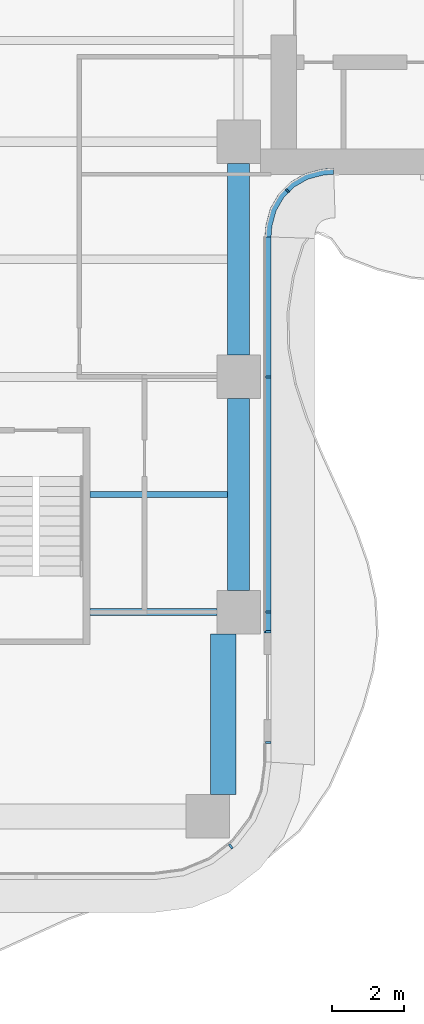
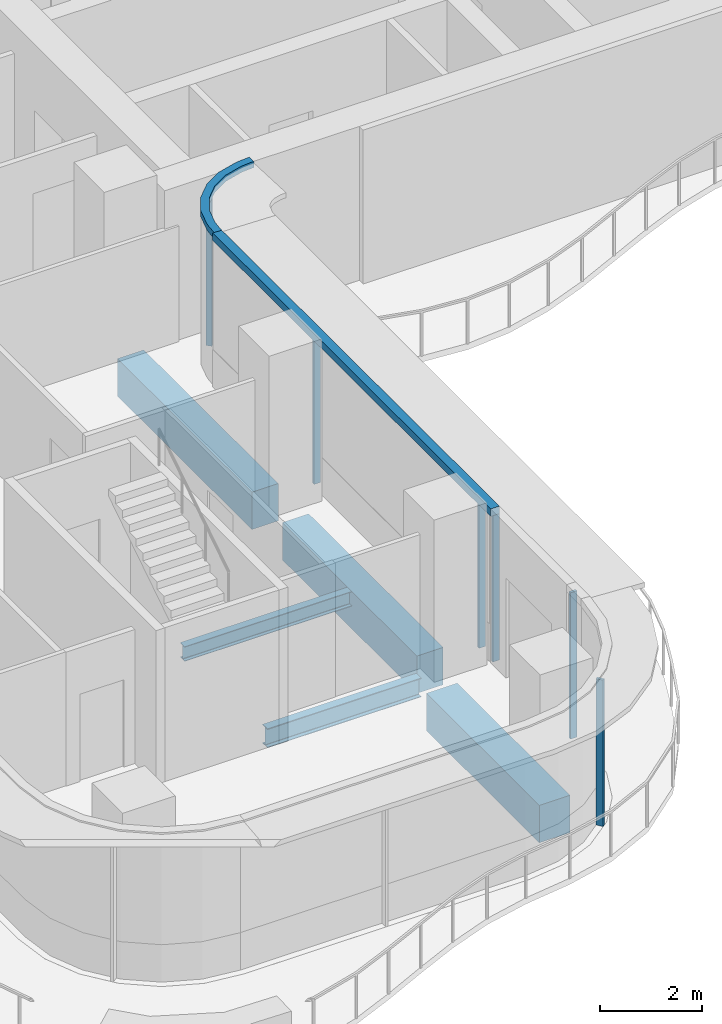
# One storey, part 5 of 19: 8 members, 5 beams, 4 elements without a shape of their own.
"""IFC4 building model written with IfcOpenShell, lengths in metres."""

from ifc_helpers import new_model, si_unit, direction, frame, origin, origin_2d, place, context, subcontext, project, spatial, polyline, rectangle, i_section, outline, extrude, source, transform, mapped, material, layer, layer_set, material_profile, profile_set, type_object, element, aggregate, save


model = new_model("IFC4")

# Units and contexts
model_context = context("Model", 3, precision=1e-05, world=origin(), true_north=direction((0.0, 1.0)))
body_context = subcontext(model_context, "Body", "Model", "MODEL_VIEW")
ifc_project = project(units=[si_unit("LENGTHUNIT", "METRE"), si_unit("AREAUNIT", "SQUARE_METRE"), si_unit("VOLUMEUNIT", "CUBIC_METRE"), si_unit("PLANEANGLEUNIT", "RADIAN"), si_unit("MASSUNIT", "GRAM", prefix="KILO")], contexts=[model_context])

# Site, building, storey
site_placement = place(None, origin())
site = spatial("IfcSite", under=ifc_project, at=site_placement, CompositionType="ELEMENT")
building_placement = place(site_placement, origin())
building = spatial("IfcBuilding", under=site, at=building_placement, Name="Trellis Farm Tower", CompositionType="ELEMENT")
storey_placement = place(building_placement, frame((0.0, 0.0, 197.10009765625)))
storey = spatial("IfcBuildingStorey", under=building, at=storey_placement, Name="L43", CompositionType="ELEMENT", Elevation=197.10009765625)

# Beams
ifc_material_1 = material(Name="Steel S355", Category="steel")
ifc_material_profile_1 = material_profile(ifc_material_1, i_section(OverallWidth=0.1904296875, OverallDepth=0.45703125, WebThickness=0.009033203125, FlangeThickness=0.014404296875, FilletRadius=0.01025390625, at=origin_2d()), Name="UB 457x191x74")
ifc_profile_set_1 = profile_set([ifc_material_profile_1], Name="Steel S355")
beam_type_1 = type_object("IfcBeamType", Name="UB 457x191x74", PredefinedType="BEAM", material=ifc_profile_set_1)
shared_shape_1 = source(origin(), body_context, "Body", "SweptSolid", [
    extrude(i_section(OverallWidth=0.1904296875, OverallDepth=0.45703125, WebThickness=0.009033203125, FlangeThickness=0.014404296875, FilletRadius=0.01025390625, at=origin_2d()), origin(), (0.0, 0.0, 1.0), 3.5),
])
beam_1_placement = place(storey_placement, frame((1.5, -18.60009765625, -0.4287109375), z_axis=(1.0, 0.0, 0.0), x_axis=(0.0, 1.0, 0.0)))
element("IfcBeam", 1, at=beam_1_placement, inside=storey, type_object=beam_type_1, Name="Girder", PredefinedType="BEAM", context=body_context, shape_type="MappedRepresentation", body=[
    mapped(shared_shape_1, transform((0.0, 0.0, 0.0))),
])
ifc_material_2 = material(Name="Concrete C60/75", Category="concrete")
ifc_material_profile_2 = material_profile(ifc_material_2, rectangle(XDim=0.60009765625, YDim=0.89990234375, at=origin_2d()), Name="RC spandrel beam 600x900 C60/75")
ifc_profile_set_2 = profile_set([ifc_material_profile_2], Name="Concrete C60/75")
beam_type_2 = type_object("IfcBeamType", Name="RC spandrel beam 600x900 C60/75", PredefinedType="SPANDREL", material=ifc_profile_set_2)
shared_shape_2 = source(origin(), body_context, "Body", "SweptSolid", [
    extrude(rectangle(XDim=0.60009765625, YDim=0.89990234375, at=origin_2d()), origin(), (0.0, 0.0, 1.0), 5.300048828125),
])
for number, where, z_axis, x_axis, name in (
    (2, (5.60009765625, -18.0, -0.650146484375), (0.0, 1.0, 0.0), (-1.0, 0.0, 0.0), "Girder"),
    (3, (5.60009765625, -11.5, -0.650146484375), (0.0, 1.0, 0.0), (-1.0, 0.0, 0.0), "Girder"),
):
    element("IfcBeam", number, at=place(storey_placement, frame(where, z_axis=z_axis, x_axis=x_axis)), inside=storey, type_object=beam_type_2, Name=name, PredefinedType="SPANDREL", context=body_context, shape_type="MappedRepresentation", body=[
        mapped(shared_shape_2, transform((0.0, 0.0, 0.0))),
    ])
ifc_material_profile_3 = material_profile(ifc_material_2, rectangle(XDim=0.699951171875, YDim=0.89990234375, at=origin_2d()), Name="RC spandrel beam 700x900 C60/75")
ifc_profile_set_3 = profile_set([ifc_material_profile_3], Name="Concrete C60/75")
beam_type_3 = type_object("IfcBeamType", Name="RC spandrel beam 700x900 C60/75", PredefinedType="SPANDREL", material=ifc_profile_set_3)
shared_shape_3 = source(origin(), body_context, "Body", "SweptSolid", [
    extrude(rectangle(XDim=0.699951171875, YDim=0.89990234375, at=origin_2d()), origin(), (0.0, 0.0, 1.0), 4.449951171875),
])
beam_2_placement = place(storey_placement, frame((5.175048828125, -23.64990234375, -0.650146484375), z_axis=(0.0, 1.0, 0.0), x_axis=(-1.0, 0.0, 0.0)))
element("IfcBeam", 4, at=beam_2_placement, inside=storey, type_object=beam_type_3, Name="Girder", PredefinedType="SPANDREL", context=body_context, shape_type="MappedRepresentation", body=[
    mapped(shared_shape_3, transform((0.0, 0.0, 0.0))),
])
ifc_material_profile_4 = material_profile(ifc_material_1, i_section(OverallWidth=0.17138671875, OverallDepth=0.35498046875, WebThickness=0.00732421875, FlangeThickness=0.011474609375, FilletRadius=0.01025390625, at=origin_2d()), Name="UB 356x171x51")
ifc_profile_set_4 = profile_set([ifc_material_profile_4], Name="Steel S355")
beam_type_4 = type_object("IfcBeamType", Name="UB 356x171x51 joist", PredefinedType="JOIST", material=ifc_profile_set_4)
shared_shape_4 = source(origin(), body_context, "Body", "SweptSolid", [
    extrude(i_section(OverallWidth=0.17138671875, OverallDepth=0.35498046875, WebThickness=0.00732421875, FlangeThickness=0.011474609375, FilletRadius=0.01025390625, at=origin_2d()), origin(), (0.0, 0.0, 1.0), 3.800048828125),
])
beam_3_placement = place(storey_placement, frame((1.5, -15.35009765625, -0.377685546875), z_axis=(1.0, 0.0, 0.0), x_axis=(0.0, 1.0, 0.0)))
element("IfcBeam", 5, at=beam_3_placement, inside=storey, type_object=beam_type_4, Name="Floor beam", PredefinedType="JOIST", context=body_context, shape_type="MappedRepresentation", body=[
    mapped(shared_shape_4, transform((0.0, 0.0, 0.0))),
])

# Curtain wall, member
ifc_material_3 = material(Name="Aluminium and glass curtain wall", Category="aluminium")
ifc_layer_1 = layer(ifc_material_3, 0.18994140625)
ifc_layer_set_1 = layer_set([ifc_layer_1], Name="RIBBON CURTAIN WALL CW1")
curtain_wall_type_1 = type_object("IfcCurtainWallType", Name="RIBBON CURTAIN WALL CW1", PredefinedType="NOTDEFINED", material=ifc_layer_set_1)
placement = place(storey_placement, origin())
curtain_wall_1 = element("IfcCurtainWall", 6, at=placement, inside=storey, type_object=curtain_wall_type_1, Name="CW1 003", PredefinedType="NOTDEFINED")
ifc_material_4 = material(Name="Aluminium extrusion 6063-T6", Category="aluminium")
ifc_material_profile_5 = material_profile(ifc_material_4, rectangle(XDim=0.06005859375, YDim=0.14990234375, at=origin_2d()), Name="MULLION 60x150")
ifc_profile_set_5 = profile_set([ifc_material_profile_5], Name="Aluminium extrusion 6063-T6")
member_type_1 = type_object("IfcMemberType", Name="CW1 MULLION 60x150", PredefinedType="MULLION", material=ifc_profile_set_5)
shared_shape_5 = source(origin(), body_context, "Body", "SweptSolid", [
    extrude(rectangle(XDim=0.06005859375, YDim=0.14990234375, at=origin_2d()), origin(), (0.0, 0.0, 1.0), 3.52001953125),
])
member_1_placement = place(storey_placement, frame((5.385498046875, -25.078369140625, 0.0), z_axis=(0.0, 0.0, 1.0), x_axis=(0.793353340291, 0.608761429009, 0.0)))
member_1 = element("IfcMember", 7, at=member_1_placement, type_object=member_type_1, Name="MU1 003-02", PredefinedType="MULLION", context=body_context, shape_type="MappedRepresentation", body=[
    mapped(shared_shape_5, transform((0.0, 0.0, 0.0))),
])
aggregate(curtain_wall_1, [member_1])

curtain_wall_2 = element("IfcCurtainWall", 8, at=placement, inside=storey, type_object=curtain_wall_type_1, Name="CW1 004", PredefinedType="NOTDEFINED")
member_2_placement = place(storey_placement, frame((6.425048828125, -22.205078125, 0.0), z_axis=(0.0, 0.0, 1.0), x_axis=(0.0, 1.0, 0.0)))
member_2 = element("IfcMember", 9, at=member_2_placement, type_object=member_type_1, Name="MU1 004-01", PredefinedType="MULLION", context=body_context, shape_type="MappedRepresentation", body=[
    mapped(shared_shape_5, transform((0.0, 0.0, 0.0))),
])
aggregate(curtain_wall_2, [member_2])

# Curtain wall, members
curtain_wall_3 = element("IfcCurtainWall", 10, at=placement, inside=storey, type_object=curtain_wall_type_1, Name="CW1 005", PredefinedType="NOTDEFINED")
member_3_placement = place(storey_placement, frame((6.425048828125, -19.14501953125, 0.0), z_axis=(0.0, 0.0, 1.0), x_axis=(0.0, 1.0, 0.0)))
member_3 = element("IfcMember", 11, at=member_3_placement, type_object=member_type_1, Name="MU1 005-01", PredefinedType="MULLION", context=body_context, shape_type="MappedRepresentation", body=[
    mapped(shared_shape_5, transform((0.0, 0.0, 0.0))),
])
member_4_placement = place(storey_placement, frame((6.425048828125, -18.60009765625, 0.0), z_axis=(0.0, 0.0, 1.0), x_axis=(0.0, 1.0, 0.0)))
member_4 = element("IfcMember", 12, at=member_4_placement, type_object=member_type_1, Name="MU1 005-02", PredefinedType="MULLION", context=body_context, shape_type="MappedRepresentation", body=[
    mapped(shared_shape_5, transform((0.0, 0.0, 0.0))),
])
member_5_placement = place(storey_placement, frame((6.425048828125, -12.10009765625, 0.0), z_axis=(0.0, 0.0, 1.0), x_axis=(0.0, 1.0, 0.0)))
member_5 = element("IfcMember", 13, at=member_5_placement, type_object=member_type_1, Name="MU1 005-03", PredefinedType="MULLION", context=body_context, shape_type="MappedRepresentation", body=[
    mapped(shared_shape_5, transform((0.0, 0.0, 0.0))),
])
ifc_layer_2 = layer(ifc_material_4, 0.199951171875)
ifc_layer_set_2 = layer_set([ifc_layer_2], Name="Aluminium extrusion 6063-T6")
member_type_2 = type_object("IfcMemberType", Name="CW1 TRANSOM 200x180", PredefinedType="USERDEFINED", material=ifc_layer_set_2)
shared_shape_6 = source(origin(), body_context, "Body", "SweptSolid", [
    extrude(outline(polyline([(6.5, -19.175048828125), (6.5, -8.2314453125), (6.300048828125, -8.224853515625), (6.300048828125, -19.175048828125), (6.5, -19.175048828125)])), origin(), (0.0, 0.0, 1.0), 0.179931640625),
])
member_6_placement = place(storey_placement, frame((0.0, 0.0, 3.52001953125)))
member_6 = element("IfcMember", 14, at=member_6_placement, type_object=member_type_2, Name="TR1 005", ObjectType="TRANSOM", PredefinedType="USERDEFINED", context=body_context, shape_type="MappedRepresentation", body=[
    mapped(shared_shape_6, transform((0.0, 0.0, 0.0))),
])
aggregate(curtain_wall_3, [member_3, member_4, member_5, member_6])

ifc_layer_3 = layer(ifc_material_3, 0.166015625)
ifc_layer_set_3 = layer_set([ifc_layer_3], Name="WINTER GARDEN CURTAIN WALL CW3")
curtain_wall_type_2 = type_object("IfcCurtainWallType", Name="WINTER GARDEN CURTAIN WALL CW3", PredefinedType="NOTDEFINED", material=ifc_layer_set_3)
curtain_wall_4 = element("IfcCurtainWall", 15, at=placement, inside=storey, type_object=curtain_wall_type_2, Name="CW3 002", PredefinedType="NOTDEFINED")
ifc_material_profile_6 = material_profile(ifc_material_4, rectangle(XDim=0.050048828125, YDim=0.1201171875, at=origin_2d()), Name="MULLION 50x120")
ifc_profile_set_6 = profile_set([ifc_material_profile_6], Name="Aluminium extrusion 6063-T6")
member_type_3 = type_object("IfcMemberType", Name="CW3 MULLION 50x120", PredefinedType="MULLION", material=ifc_profile_set_6)
shared_shape_7 = source(origin(), body_context, "Body", "SweptSolid", [
    extrude(rectangle(XDim=0.050048828125, YDim=0.1201171875, at=origin_2d()), origin(), (0.0, 0.0, 1.0), 3.5498046875),
])
member_7_placement = place(storey_placement, frame((6.953125, -6.953125, 0.0), z_axis=(0.0, 0.0, 1.0), x_axis=(0.707106781187, 0.707106781187, 0.0)))
member_7 = element("IfcMember", 16, at=member_7_placement, type_object=member_type_3, Name="MU3 002-01", PredefinedType="MULLION", context=body_context, shape_type="MappedRepresentation", body=[
    mapped(shared_shape_7, transform((0.0, 0.0, 0.0))),
])
ifc_layer_4 = layer(ifc_material_4, 0.169921875)
ifc_layer_set_4 = layer_set([ifc_layer_4], Name="Aluminium extrusion 6063-T6")
member_type_4 = type_object("IfcMemberType", Name="CW3 TRANSOM 170x150", PredefinedType="USERDEFINED", material=ifc_layer_set_4)
shared_shape_8 = source(origin(), body_context, "Body", "SweptSolid", [
    extrude(outline(polyline([(6.5, -8.2314453125), (6.513916015625, -8.01953125), (6.527587890625, -7.91552734375), (6.63671875, -7.508544921875), (6.846923828125, -7.144287109375), (7.144287109375, -6.846923828125), (7.508544921875, -6.63671875), (7.91552734375, -6.527587890625), (8.01953125, -6.513916015625), (8.2314453125, -6.5), (8.225830078125, -6.330078125), (8.0029296875, -6.3447265625), (7.88232421875, -6.360595703125), (7.44287109375, -6.478271484375), (7.0400390625, -6.7109375), (6.7109375, -7.0400390625), (6.478271484375, -7.44287109375), (6.360595703125, -7.88232421875), (6.3447265625, -8.0029296875), (6.330078125, -8.225830078125), (6.5, -8.2314453125)])), origin(), (0.0, 0.0, 1.0), 0.150146484375),
])
member_8_placement = place(storey_placement, frame((0.0, 0.0, 3.5498046875)))
member_8 = element("IfcMember", 17, at=member_8_placement, type_object=member_type_4, Name="TR3 002", ObjectType="TRANSOM", PredefinedType="USERDEFINED", context=body_context, shape_type="MappedRepresentation", body=[
    mapped(shared_shape_8, transform((0.0, 0.0, 0.0))),
])
aggregate(curtain_wall_4, [member_7, member_8])

save(model, "model.ifc")
